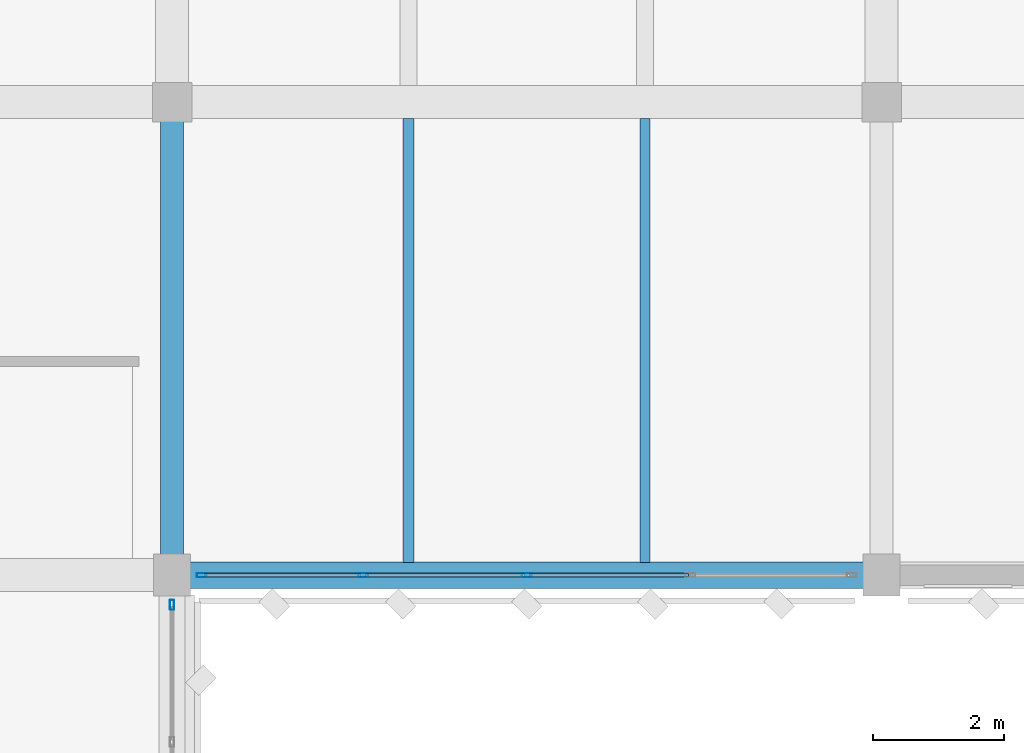
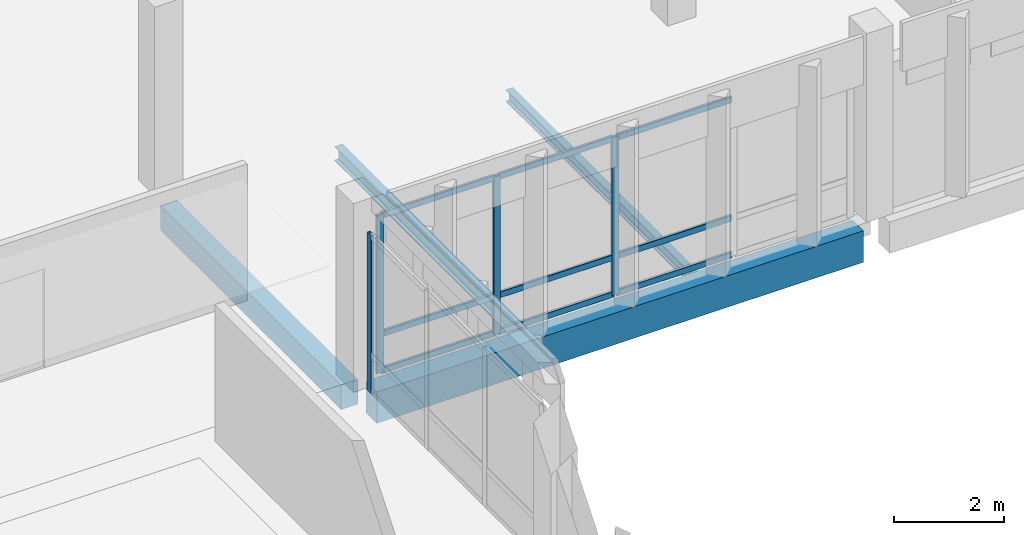
# One storey, part 41 of 158: 13 members, 4 beams, 2 elements without a shape of their own.
"""IFC4 building model written with IfcOpenShell, lengths in metres."""

from ifc_helpers import new_model, si_unit, direction, frame, origin, origin_2d, place, context, subcontext, project, spatial, rectangle, hollow_rectangle, i_section, extrude, material, material_profile, profile_set, type_object, element, aggregate, save


model = new_model("IFC4")

# Units and contexts
model_context = context("Model", 3, precision=1e-05, world=origin(), true_north=direction((0.0, 1.0)))
body_context = subcontext(model_context, "Body", "Model", "MODEL_VIEW")
ifc_project = project(units=[si_unit("LENGTHUNIT", "METRE"), si_unit("AREAUNIT", "SQUARE_METRE"), si_unit("VOLUMEUNIT", "CUBIC_METRE"), si_unit("PLANEANGLEUNIT", "RADIAN"), si_unit("MASSUNIT", "GRAM", prefix="KILO")], contexts=[model_context])

# Site, building, storey
site_placement = place(None, origin())
site = spatial("IfcSite", under=ifc_project, at=site_placement, CompositionType="ELEMENT")
building_placement = place(site_placement, origin())
building = spatial("IfcBuilding", under=site, at=building_placement, Name="Lusvemor Sports Hall", CompositionType="ELEMENT")
storey_placement = place(building_placement, frame((0.0, 0.0, 10.800048828125)))
storey = spatial("IfcBuildingStorey", under=building, at=storey_placement, Name="L02", CompositionType="ELEMENT", Elevation=10.800048828125)

# Beam
ifc_material_1 = material(Name="Concrete C40/50", Category="concrete")
ifc_material_profile_1 = material_profile(ifc_material_1, rectangle(XDim=0.35009765625, YDim=0.550048828125, at=origin_2d()), Name="RC350x550")
ifc_profile_set_1 = profile_set([ifc_material_profile_1], Name="Concrete C40/50")
beam_type_1 = type_object("IfcBeamType", Name="BEAM_RC_550", PredefinedType="BEAM", material=ifc_profile_set_1)
beam_1_placement = place(storey_placement, frame((21.60009765625, 97.51611328125, -0.53515625), z_axis=(0.0, 1.0, 0.0), x_axis=(-1.0, 0.0, 0.0)))
element("IfcBeam", 1, at=beam_1_placement, inside=storey, type_object=beam_type_1, Name="Beam L02 3:N-P", PredefinedType="BEAM", context=body_context, shape_type="SweptSolid", body=[
    extrude(rectangle(XDim=0.35009765625, YDim=0.550048828125, at=origin_2d()), origin(), (0.0, 0.0, 1.0), 6.587890625),
])

# Curtain wall, members
ifc_material_2 = material(Name="Thermally broken bronze-anodized aluminium", Category="aluminium")
curtain_wall_type = type_object("IfcCurtainWallType", Name="CW_WING_B", PredefinedType="NOTDEFINED", material=ifc_material_2)
curtain_wall_1_placement = place(storey_placement, origin())
curtain_wall_1 = element("IfcCurtainWall", 2, at=curtain_wall_1_placement, inside=storey, type_object=curtain_wall_type, Name="Curtain Wall CW-L02-S-3-0", PredefinedType="NOTDEFINED")
ifc_material_3 = material(Name="Thermally broken bronze-anodized aluminium", Category="aluminium")
ifc_material_profile_2 = material_profile(ifc_material_3, hollow_rectangle(XDim=0.06494140625, YDim=0.14990234375, WallThickness=0.00390625, InnerFilletRadius=0.00390625, OuterFilletRadius=0.008056640625, at=origin_2d()), Name="CWMUL150x65x4")
ifc_profile_set_2 = profile_set([ifc_material_profile_2], Name="Thermally broken bronze-anodized aluminium")
member_type_1 = type_object("IfcMemberType", Name="CW_MUL_B", PredefinedType="MULLION", material=ifc_profile_set_2)
member_1_placement = place(storey_placement, frame((27.0, 97.199951171875, 0.0), z_axis=(0.0, 0.0, 1.0), x_axis=(0.0, -1.0, 0.0)))
member_1 = element("IfcMember", 3, at=member_1_placement, type_object=member_type_1, Name="CW02 mullion 3", PredefinedType="MULLION", context=body_context, shape_type="SweptSolid", body=[
    extrude(hollow_rectangle(XDim=0.06494140625, YDim=0.14990234375, WallThickness=0.00390625, InnerFilletRadius=0.00390625, OuterFilletRadius=0.008056640625, at=origin_2d()), origin(), (0.0, 0.0, 1.0), 3.52001953125),
])
member_2_placement = place(storey_placement, frame((24.510009765625, 97.199951171875, 0.0), z_axis=(0.0, 0.0, 1.0), x_axis=(0.0, -1.0, 0.0)))
member_2 = element("IfcMember", 4, at=member_2_placement, type_object=member_type_1, Name="CW02 mullion 4", PredefinedType="MULLION", context=body_context, shape_type="SweptSolid", body=[
    extrude(hollow_rectangle(XDim=0.06494140625, YDim=0.14990234375, WallThickness=0.00390625, InnerFilletRadius=0.00390625, OuterFilletRadius=0.008056640625, at=origin_2d()), origin(), (0.0, 0.0, 1.0), 3.52001953125),
])
member_3_placement = place(storey_placement, frame((22.052490234375, 97.199951171875, 0.0), z_axis=(0.0, 0.0, 1.0), x_axis=(0.0, -1.0, 0.0)))
member_3 = element("IfcMember", 5, at=member_3_placement, type_object=member_type_1, Name="CW02 mullion 5", PredefinedType="MULLION", context=body_context, shape_type="SweptSolid", body=[
    extrude(hollow_rectangle(XDim=0.06494140625, YDim=0.14990234375, WallThickness=0.00390625, InnerFilletRadius=0.00390625, OuterFilletRadius=0.008056640625, at=origin_2d()), origin(), (0.0, 0.0, 1.0), 3.52001953125),
])

# Curtain wall, member
curtain_wall_2_placement = place(storey_placement, origin())
curtain_wall_2 = element("IfcCurtainWall", 6, at=curtain_wall_2_placement, inside=storey, type_object=curtain_wall_type, Name="Curtain Wall CW-L02-E-5-6", PredefinedType="NOTDEFINED")
member_4_placement = place(storey_placement, frame((21.60009765625, 96.74755859375, 0.0), z_axis=(0.0, 0.0, 1.0), x_axis=(1.0, 0.0, 0.0)))
member_4 = element("IfcMember", 7, at=member_4_placement, type_object=member_type_1, Name="CW02 mullion 1", PredefinedType="MULLION", context=body_context, shape_type="SweptSolid", body=[
    extrude(hollow_rectangle(XDim=0.06494140625, YDim=0.14990234375, WallThickness=0.00390625, InnerFilletRadius=0.00390625, OuterFilletRadius=0.008056640625, at=origin_2d()), origin(), (0.0, 0.0, 1.0), 3.52001953125),
])
aggregate(curtain_wall_2, [member_4])

# Member
ifc_material_4 = material(Name="Thermally broken bronze-anodized aluminium", Category="aluminium")
ifc_material_profile_3 = material_profile(ifc_material_4, hollow_rectangle(XDim=0.06005859375, YDim=0.135009765625, WallThickness=0.00390625, InnerFilletRadius=0.00390625, OuterFilletRadius=0.008056640625, at=origin_2d()), Name="CWTRN135x60x4")
ifc_profile_set_3 = profile_set([ifc_material_profile_3], Name="Thermally broken bronze-anodized aluminium")
member_type_2 = type_object("IfcMemberType", Name="CW_TRN_B", PredefinedType="USERDEFINED", material=ifc_profile_set_3)
member_5_placement = place(storey_placement, frame((29.45751953125, 97.199951171875, 0.030029296875), z_axis=(-1.0, 0.0, 0.0), x_axis=(0.0, -1.0, 0.0)))
member_5 = element("IfcMember", 8, at=member_5_placement, type_object=member_type_2, Name="CW02 transom 2.1", ObjectType="TRANSOM", PredefinedType="USERDEFINED", context=body_context, shape_type="SweptSolid", body=[
    extrude(hollow_rectangle(XDim=0.06005859375, YDim=0.135009765625, WallThickness=0.00390625, InnerFilletRadius=0.00390625, OuterFilletRadius=0.008056640625, at=origin_2d()), origin(), (0.0, 0.0, 1.0), 2.425048828125),
])

member_6_placement = place(storey_placement, frame((29.45751953125, 97.199951171875, 0.849853515625), z_axis=(-1.0, 0.0, 0.0), x_axis=(0.0, -1.0, 0.0)))
member_6 = element("IfcMember", 9, at=member_6_placement, type_object=member_type_2, Name="CW02 transom 2.2", ObjectType="TRANSOM", PredefinedType="USERDEFINED", context=body_context, shape_type="SweptSolid", body=[
    extrude(hollow_rectangle(XDim=0.06005859375, YDim=0.135009765625, WallThickness=0.00390625, InnerFilletRadius=0.00390625, OuterFilletRadius=0.008056640625, at=origin_2d()), origin(), (0.0, 0.0, 1.0), 2.425048828125),
])

member_7_placement = place(storey_placement, frame((29.45751953125, 97.199951171875, 3.489990234375), z_axis=(-1.0, 0.0, 0.0), x_axis=(0.0, -1.0, 0.0)))
member_7 = element("IfcMember", 10, at=member_7_placement, type_object=member_type_2, Name="CW02 transom 2.3", ObjectType="TRANSOM", PredefinedType="USERDEFINED", context=body_context, shape_type="SweptSolid", body=[
    extrude(hollow_rectangle(XDim=0.06005859375, YDim=0.135009765625, WallThickness=0.00390625, InnerFilletRadius=0.00390625, OuterFilletRadius=0.008056640625, at=origin_2d()), origin(), (0.0, 0.0, 1.0), 2.425048828125),
])

member_8_placement = place(storey_placement, frame((26.967529296875, 97.199951171875, 0.030029296875), z_axis=(-1.0, 0.0, 0.0), x_axis=(0.0, -1.0, 0.0)))
member_8 = element("IfcMember", 11, at=member_8_placement, type_object=member_type_2, Name="CW02 transom 3.1", ObjectType="TRANSOM", PredefinedType="USERDEFINED", context=body_context, shape_type="SweptSolid", body=[
    extrude(hollow_rectangle(XDim=0.06005859375, YDim=0.135009765625, WallThickness=0.00390625, InnerFilletRadius=0.00390625, OuterFilletRadius=0.008056640625, at=origin_2d()), origin(), (0.0, 0.0, 1.0), 2.425048828125),
])

member_9_placement = place(storey_placement, frame((26.967529296875, 97.199951171875, 0.849853515625), z_axis=(-1.0, 0.0, 0.0), x_axis=(0.0, -1.0, 0.0)))
member_9 = element("IfcMember", 12, at=member_9_placement, type_object=member_type_2, Name="CW02 transom 3.2", ObjectType="TRANSOM", PredefinedType="USERDEFINED", context=body_context, shape_type="SweptSolid", body=[
    extrude(hollow_rectangle(XDim=0.06005859375, YDim=0.135009765625, WallThickness=0.00390625, InnerFilletRadius=0.00390625, OuterFilletRadius=0.008056640625, at=origin_2d()), origin(), (0.0, 0.0, 1.0), 2.425048828125),
])

member_10_placement = place(storey_placement, frame((26.967529296875, 97.199951171875, 3.489990234375), z_axis=(-1.0, 0.0, 0.0), x_axis=(0.0, -1.0, 0.0)))
member_10 = element("IfcMember", 13, at=member_10_placement, type_object=member_type_2, Name="CW02 transom 3.3", ObjectType="TRANSOM", PredefinedType="USERDEFINED", context=body_context, shape_type="SweptSolid", body=[
    extrude(hollow_rectangle(XDim=0.06005859375, YDim=0.135009765625, WallThickness=0.00390625, InnerFilletRadius=0.00390625, OuterFilletRadius=0.008056640625, at=origin_2d()), origin(), (0.0, 0.0, 1.0), 2.425048828125),
])

member_11_placement = place(storey_placement, frame((24.4775390625, 97.199951171875, 0.030029296875), z_axis=(-1.0, 0.0, 0.0), x_axis=(0.0, -1.0, 0.0)))
member_11 = element("IfcMember", 14, at=member_11_placement, type_object=member_type_2, Name="CW02 transom 4.1", ObjectType="TRANSOM", PredefinedType="USERDEFINED", context=body_context, shape_type="SweptSolid", body=[
    extrude(hollow_rectangle(XDim=0.06005859375, YDim=0.135009765625, WallThickness=0.00390625, InnerFilletRadius=0.00390625, OuterFilletRadius=0.008056640625, at=origin_2d()), origin(), (0.0, 0.0, 1.0), 2.392578125),
])

member_12_placement = place(storey_placement, frame((24.4775390625, 97.199951171875, 0.849853515625), z_axis=(-1.0, 0.0, 0.0), x_axis=(0.0, -1.0, 0.0)))
member_12 = element("IfcMember", 15, at=member_12_placement, type_object=member_type_2, Name="CW02 transom 4.2", ObjectType="TRANSOM", PredefinedType="USERDEFINED", context=body_context, shape_type="SweptSolid", body=[
    extrude(hollow_rectangle(XDim=0.06005859375, YDim=0.135009765625, WallThickness=0.00390625, InnerFilletRadius=0.00390625, OuterFilletRadius=0.008056640625, at=origin_2d()), origin(), (0.0, 0.0, 1.0), 2.392578125),
])

member_13_placement = place(storey_placement, frame((24.4775390625, 97.199951171875, 3.489990234375), z_axis=(-1.0, 0.0, 0.0), x_axis=(0.0, -1.0, 0.0)))
member_13 = element("IfcMember", 16, at=member_13_placement, type_object=member_type_2, Name="CW02 transom 4.3", ObjectType="TRANSOM", PredefinedType="USERDEFINED", context=body_context, shape_type="SweptSolid", body=[
    extrude(hollow_rectangle(XDim=0.06005859375, YDim=0.135009765625, WallThickness=0.00390625, InnerFilletRadius=0.00390625, OuterFilletRadius=0.008056640625, at=origin_2d()), origin(), (0.0, 0.0, 1.0), 2.392578125),
])

aggregate(curtain_wall_1, [member_1, member_2, member_3, member_5, member_6, member_7, member_8, member_9, member_10, member_11, member_12, member_13])

# Beams
ifc_material_5 = material(Name="Steel S355", Category="steel")
ifc_material_profile_4 = material_profile(ifc_material_5, i_section(OverallWidth=0.14794921875, OverallDepth=0.26611328125, WebThickness=0.007568359375, FlangeThickness=0.012939453125, FilletRadius=0.012939453125, at=origin_2d()), Name="W250x44.8")
ifc_profile_set_4 = profile_set([ifc_material_profile_4], Name="Steel S355")
beam_type_2 = type_object("IfcBeamType", Name="JOIST_ST_250M", PredefinedType="JOIST", material=ifc_profile_set_4)
beam_2_placement = place(storey_placement, frame((28.800048828125, 97.39599609375, -0.39697265625), z_axis=(0.0, 1.0, 0.0), x_axis=(-1.0, 0.0, 0.0)))
element("IfcBeam", 17, at=beam_2_placement, inside=storey, type_object=beam_type_2, Name="Secondary Joist L02 3-4/N-P #2", PredefinedType="JOIST", context=body_context, shape_type="SweptSolid", body=[
    extrude(i_section(OverallWidth=0.14794921875, OverallDepth=0.26611328125, WebThickness=0.007568359375, FlangeThickness=0.012939453125, FilletRadius=0.012939453125, at=origin_2d()), origin(), (0.0, 0.0, 1.0), 6.758056640625),
])
ifc_material_6 = material(Name="Steel S355", Category="steel")
ifc_material_profile_5 = material_profile(ifc_material_6, i_section(OverallWidth=0.1669921875, OverallDepth=0.31689453125, WebThickness=0.007568359375, FlangeThickness=0.01318359375, FilletRadius=0.014892578125, at=origin_2d()), Name="W310x52.0")
ifc_profile_set_5 = profile_set([ifc_material_profile_5], Name="Steel S355")
beam_type_3 = type_object("IfcBeamType", Name="JOIST_ST_310M", PredefinedType="JOIST", material=ifc_profile_set_5)
beam_3_placement = place(storey_placement, frame((25.199951171875, 97.39599609375, -0.422607421875), z_axis=(0.0, 1.0, 0.0), x_axis=(-1.0, 0.0, 0.0)))
element("IfcBeam", 18, at=beam_3_placement, inside=storey, type_object=beam_type_3, Name="Secondary Joist L02 3-4/N-P #1", PredefinedType="JOIST", context=body_context, shape_type="SweptSolid", body=[
    extrude(i_section(OverallWidth=0.1669921875, OverallDepth=0.31689453125, WebThickness=0.007568359375, FlangeThickness=0.01318359375, FilletRadius=0.014892578125, at=origin_2d()), origin(), (0.0, 0.0, 1.0), 6.758056640625),
])
ifc_material_7 = material(Name="Concrete C40/50", Category="concrete")
ifc_material_profile_6 = material_profile(ifc_material_7, rectangle(XDim=0.39990234375, YDim=0.699951171875, at=origin_2d()), Name="RC400x700")
ifc_profile_set_6 = profile_set([ifc_material_profile_6], Name="Concrete C40/50")
beam_type_4 = type_object("IfcBeamType", Name="SPAND_EXT_700", PredefinedType="SPANDREL", material=ifc_profile_set_6)
beam_4_placement = place(storey_placement, frame((21.8759765625, 97.199951171875, -0.610107421875), z_axis=(1.0, 0.0, 0.0), x_axis=(0.0, 1.0, 0.0)))
element("IfcBeam", 19, at=beam_4_placement, inside=storey, type_object=beam_type_4, Name="Beam L02 N:3-4", PredefinedType="SPANDREL", context=body_context, shape_type="SweptSolid", body=[
    extrude(rectangle(XDim=0.39990234375, YDim=0.699951171875, at=origin_2d()), origin(), (0.0, 0.0, 1.0), 10.248046875),
])

save(model, "model.ifc")
